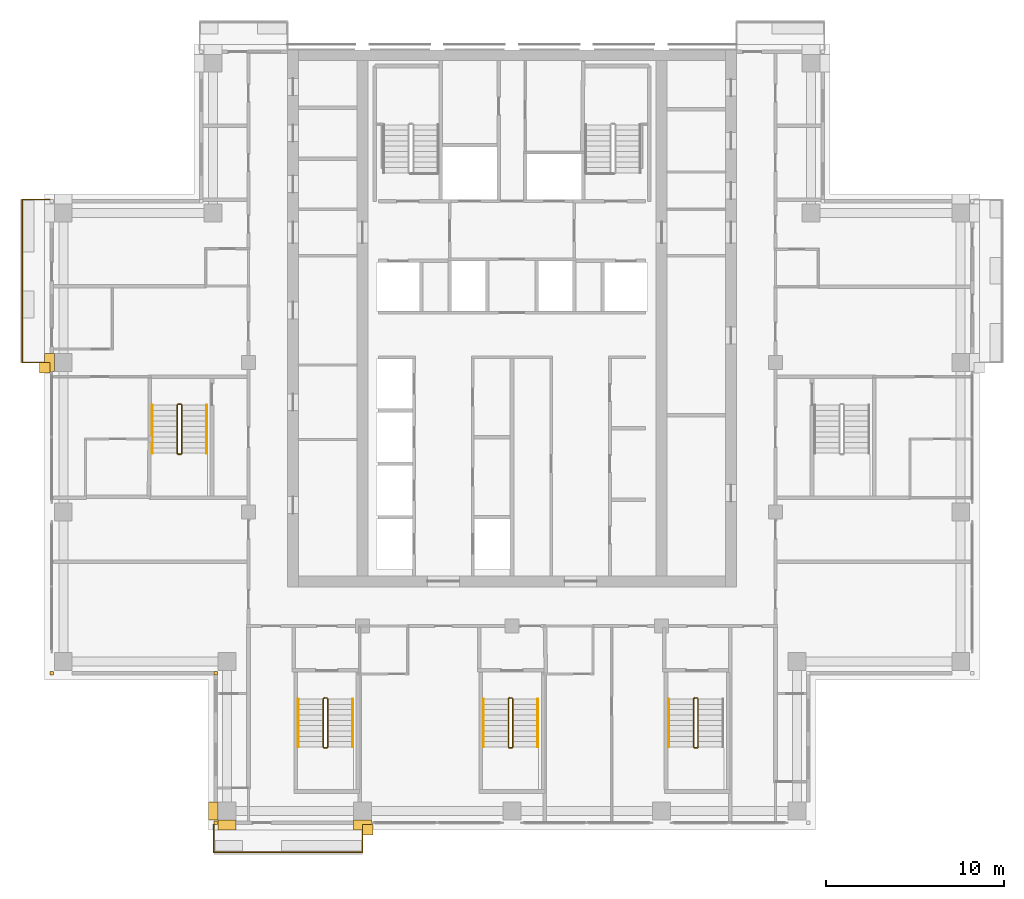
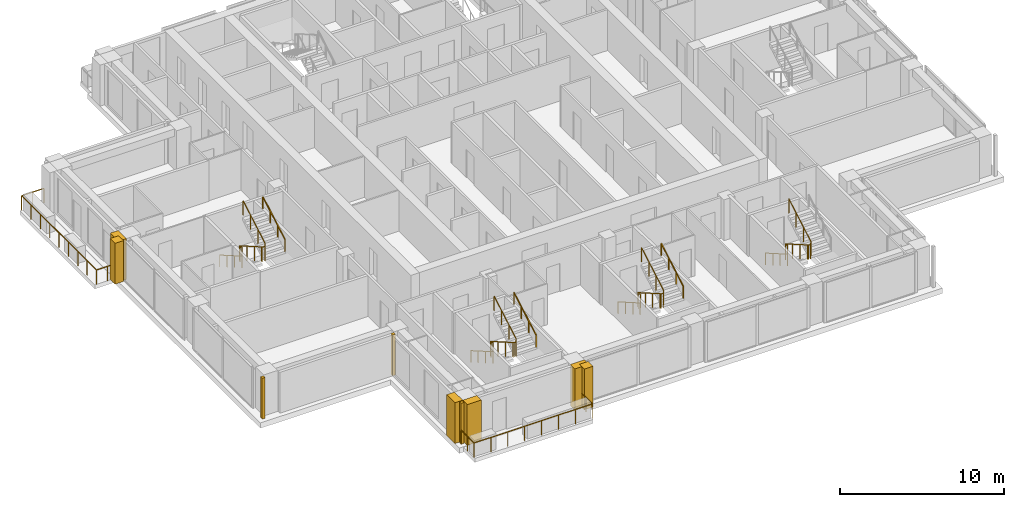
# One storey, part 14 of 16: 13 railings, 9 coverings.
"""IFC4 building model written with IfcOpenShell, lengths in metres."""

from ifc_helpers import new_model, si_unit, direction, frame, origin, origin_2d, place, context, subcontext, project, spatial, polyline, rectangle, outline, extrude, material, type_object, element, save


model = new_model("IFC4")

# Units and contexts
model_context = context("Model", 3, precision=1e-05, world=origin(), true_north=direction((0.0, 1.0)))
body_context = subcontext(model_context, "Body", "Model", "MODEL_VIEW")
ifc_project = project(units=[si_unit("LENGTHUNIT", "METRE"), si_unit("AREAUNIT", "SQUARE_METRE"), si_unit("VOLUMEUNIT", "CUBIC_METRE"), si_unit("PLANEANGLEUNIT", "RADIAN"), si_unit("MASSUNIT", "GRAM", prefix="KILO")], contexts=[model_context])

# Site, building, storey
site_placement = place(None, origin())
site = spatial("IfcSite", under=ifc_project, at=site_placement, CompositionType="ELEMENT")
building_placement = place(site_placement, origin())
building = spatial("IfcBuilding", under=site, at=building_placement, Name="Vermilion Ogive Tower", CompositionType="ELEMENT")
storey_placement = place(building_placement, frame((0.0, 0.0, 182.449951171875)))
storey = spatial("IfcBuildingStorey", under=building, at=storey_placement, Name="L47", CompositionType="ELEMENT", Elevation=182.449951171875)

# Railings
ifc_material_1 = material(Name="Stainless steel and glass", Category="steel")
railing_type_1 = type_object("IfcRailingType", Name="Balcony guard", PredefinedType="GUARDRAIL", material=ifc_material_1)
railing_1_placement = place(storey_placement, frame((-16.75, -21.75, -0.0400390625)))
element("IfcRailing", 1, at=railing_1_placement, inside=storey, type_object=railing_type_1, Name="Guard S01", PredefinedType="GUARDRAIL", context=body_context, shape_type="SweptSolid", body=[
    extrude(rectangle(XDim=0.048095703125, YDim=0.048095703125, at=origin_2d()), frame((0.0, 0.0, 1.076171875), z_axis=(0.0, -1.0, 0.0), x_axis=(1.0, 0.0, 0.0)), (0.0, 0.0, 1.0), 1.56396484375),
    extrude(rectangle(XDim=0.048095703125, YDim=0.048095703125, at=origin_2d()), frame((0.0, -1.56396484375, 1.076171875), z_axis=(1.0, 0.0, 0.0), x_axis=(0.0, 1.0, 0.0)), (0.0, 0.0, 1.0), 8.35009765625),
    extrude(rectangle(XDim=0.048095703125, YDim=0.048095703125, at=origin_2d()), frame((8.35009765625, -1.56396484375, 1.076171875), z_axis=(0.0, 1.0, 0.0), x_axis=(-1.0, 0.0, 0.0)), (0.0, 0.0, 1.0), 1.56396484375),
    extrude(rectangle(XDim=0.0419921875, YDim=0.0419921875, at=origin_2d()), origin(), (0.0, 0.0, 1.0), 1.052001953125),
    extrude(rectangle(XDim=0.0419921875, YDim=0.0419921875, at=origin_2d()), frame((0.0, -0.781982421875, 0.0)), (0.0, 0.0, 1.0), 1.052001953125),
    extrude(rectangle(XDim=0.0419921875, YDim=0.0419921875, at=origin_2d()), frame((0.0, -1.56396484375, 0.0)), (0.0, 0.0, 1.0), 1.052001953125),
    extrude(rectangle(XDim=0.0419921875, YDim=0.0419921875, at=origin_2d()), frame((1.19287109375, -1.56396484375, 0.0)), (0.0, 0.0, 1.0), 1.052001953125),
    extrude(rectangle(XDim=0.0419921875, YDim=0.0419921875, at=origin_2d()), frame((2.3857421875, -1.56396484375, 0.0)), (0.0, 0.0, 1.0), 1.052001953125),
    extrude(rectangle(XDim=0.0419921875, YDim=0.0419921875, at=origin_2d()), frame((3.57861328125, -1.56396484375, 0.0)), (0.0, 0.0, 1.0), 1.052001953125),
    extrude(rectangle(XDim=0.0419921875, YDim=0.0419921875, at=origin_2d()), frame((4.771484375, -1.56396484375, 0.0)), (0.0, 0.0, 1.0), 1.052001953125),
    extrude(rectangle(XDim=0.0419921875, YDim=0.0419921875, at=origin_2d()), frame((5.96435546875, -1.56396484375, 0.0)), (0.0, 0.0, 1.0), 1.052001953125),
    extrude(rectangle(XDim=0.0419921875, YDim=0.0419921875, at=origin_2d()), frame((7.1572265625, -1.56396484375, 0.0)), (0.0, 0.0, 1.0), 1.052001953125),
    extrude(rectangle(XDim=0.0419921875, YDim=0.0419921875, at=origin_2d()), frame((8.35009765625, -1.56396484375, 0.0)), (0.0, 0.0, 1.0), 1.052001953125),
    extrude(rectangle(XDim=0.0419921875, YDim=0.0419921875, at=origin_2d()), frame((8.35009765625, -0.781982421875, 0.0)), (0.0, 0.0, 1.0), 1.052001953125),
    extrude(rectangle(XDim=0.0419921875, YDim=0.0419921875, at=origin_2d()), frame((8.35009765625, 0.0, 0.0)), (0.0, 0.0, 1.0), 1.052001953125),
])
railing_2_placement = place(storey_placement, frame((-25.949951171875, 13.35009765625, -0.0400390625)))
element("IfcRailing", 2, at=railing_2_placement, inside=storey, type_object=railing_type_1, Name="Guard W01", PredefinedType="GUARDRAIL", context=body_context, shape_type="SweptSolid", body=[
    extrude(rectangle(XDim=0.048095703125, YDim=0.048095703125, at=origin_2d()), frame((0.0, 0.0, 1.076171875), z_axis=(-1.0, 0.0, 0.0), x_axis=(0.0, -1.0, 0.0)), (0.0, 0.0, 1.0), 1.56396484375),
    extrude(rectangle(XDim=0.048095703125, YDim=0.048095703125, at=origin_2d()), frame((-1.56396484375, 0.0, 1.076171875), z_axis=(0.0, -1.0, 0.0), x_axis=(1.0, 0.0, 0.0)), (0.0, 0.0, 1.0), 9.150146484375),
    extrude(rectangle(XDim=0.048095703125, YDim=0.048095703125, at=origin_2d()), frame((-1.56396484375, -9.150146484375, 1.076171875), z_axis=(1.0, 0.0, 0.0), x_axis=(0.0, 1.0, 0.0)), (0.0, 0.0, 1.0), 1.56396484375),
    extrude(rectangle(XDim=0.0419921875, YDim=0.0419921875, at=origin_2d()), origin(), (0.0, 0.0, 1.0), 1.052001953125),
    extrude(rectangle(XDim=0.0419921875, YDim=0.0419921875, at=origin_2d()), frame((-0.781982421875, 0.0, 0.0)), (0.0, 0.0, 1.0), 1.052001953125),
    extrude(rectangle(XDim=0.0419921875, YDim=0.0419921875, at=origin_2d()), frame((-1.56396484375, 0.0, 0.0)), (0.0, 0.0, 1.0), 1.052001953125),
    extrude(rectangle(XDim=0.0419921875, YDim=0.0419921875, at=origin_2d()), frame((-1.56396484375, -1.143798828125, 0.0)), (0.0, 0.0, 1.0), 1.052001953125),
    extrude(rectangle(XDim=0.0419921875, YDim=0.0419921875, at=origin_2d()), frame((-1.56396484375, -2.28759765625, 0.0)), (0.0, 0.0, 1.0), 1.052001953125),
    extrude(rectangle(XDim=0.0419921875, YDim=0.0419921875, at=origin_2d()), frame((-1.56396484375, -3.431396484375, 0.0)), (0.0, 0.0, 1.0), 1.052001953125),
    extrude(rectangle(XDim=0.0419921875, YDim=0.0419921875, at=origin_2d()), frame((-1.56396484375, -4.5751953125, 0.0)), (0.0, 0.0, 1.0), 1.052001953125),
    extrude(rectangle(XDim=0.0419921875, YDim=0.0419921875, at=origin_2d()), frame((-1.56396484375, -5.71875, 0.0)), (0.0, 0.0, 1.0), 1.052001953125),
    extrude(rectangle(XDim=0.0419921875, YDim=0.0419921875, at=origin_2d()), frame((-1.56396484375, -6.862548828125, 0.0)), (0.0, 0.0, 1.0), 1.052001953125),
    extrude(rectangle(XDim=0.0419921875, YDim=0.0419921875, at=origin_2d()), frame((-1.56396484375, -8.00634765625, 0.0)), (0.0, 0.0, 1.0), 1.052001953125),
    extrude(rectangle(XDim=0.0419921875, YDim=0.0419921875, at=origin_2d()), frame((-1.56396484375, -9.150146484375, 0.0)), (0.0, 0.0, 1.0), 1.052001953125),
    extrude(rectangle(XDim=0.0419921875, YDim=0.0419921875, at=origin_2d()), frame((-0.781982421875, -9.150146484375, 0.0)), (0.0, 0.0, 1.0), 1.052001953125),
    extrude(rectangle(XDim=0.0419921875, YDim=0.0419921875, at=origin_2d()), frame((0.0, -9.150146484375, 0.0)), (0.0, 0.0, 1.0), 1.052001953125),
])
ifc_material_2 = material(Name="Steel S355 painted", Category="steel")
railing_type_2 = type_object("IfcRailingType", Name="Stair guard 1100", PredefinedType="GUARDRAIL", material=ifc_material_2)
railing_3_placement = place(storey_placement, frame((-10.39990234375, -14.64990234375, 0.0)))
element("IfcRailing", 3, at=railing_3_placement, inside=storey, type_object=railing_type_2, Name="L47 ST3 stair guard 4", PredefinedType="GUARDRAIL", context=body_context, shape_type="SweptSolid", body=[
    extrude(rectangle(XDim=0.048095703125, YDim=0.048095703125, at=origin_2d()), frame((0.0, 0.0, 1.076171875), z_axis=(-1.0, 0.0, 0.0), x_axis=(0.0, -1.0, 0.0)), (0.0, 0.0, 1.0), 0.150146484375),
    extrude(rectangle(XDim=0.048095703125, YDim=0.048095703125, at=origin_2d()), frame((-0.150146484375, 0.0, 1.076171875), z_axis=(-0.268277960024, -0.268277960024, 0.925231793839), x_axis=(0.707106781187, -0.707106781187, 0.0)), (0.0, 0.0, 1.0), 0.1865234375),
    extrude(rectangle(XDim=0.048095703125, YDim=0.048095703125, at=origin_2d()), frame((-0.2001953125, -0.050048828125, 1.24853515625), z_axis=(0.0, -0.866903762492, 0.498475542607), x_axis=(1.0, 0.0, 0.0)), (0.0, 0.0, 1.0), 3.114501953125),
    extrude(rectangle(XDim=0.048095703125, YDim=0.048095703125, at=origin_2d()), frame((-0.2001953125, -2.75, 2.80126953125), z_axis=(0.707106781187, -0.707106781187, 0.0), x_axis=(0.707106781187, 0.707106781187, 0.0)), (0.0, 0.0, 1.0), 0.07080078125),
    extrude(rectangle(XDim=0.048095703125, YDim=0.048095703125, at=origin_2d()), frame((-0.150146484375, -2.800048828125, 2.80126953125), z_axis=(1.0, 0.0, 0.0), x_axis=(0.0, 1.0, 0.0)), (0.0, 0.0, 1.0), 0.150146484375),
    extrude(rectangle(XDim=0.048095703125, YDim=0.048095703125, at=origin_2d()), frame((0.0, -2.800048828125, 2.80126953125), z_axis=(0.267386790225, 0.268697509785, 0.925368009307), x_axis=(-0.708833529934, 0.705375805398, 0.0)), (0.0, 0.0, 1.0), 0.186279296875),
    extrude(rectangle(XDim=0.048095703125, YDim=0.048095703125, at=origin_2d()), frame((0.0498046875, -2.75, 2.9736328125), z_axis=(0.0, 0.866903762492, 0.498475542607), x_axis=(-1.0, 0.0, 0.0)), (0.0, 0.0, 1.0), 3.114501953125),
    extrude(rectangle(XDim=0.0419921875, YDim=0.0419921875, at=origin_2d()), origin(), (0.0, 0.0, 1.0), 1.052001953125),
    extrude(rectangle(XDim=0.0419921875, YDim=0.0419921875, at=origin_2d()), frame((-0.150146484375, 0.0, 0.0)), (0.0, 0.0, 1.0), 1.052001953125),
    extrude(rectangle(XDim=0.0419921875, YDim=0.0419921875, at=origin_2d()), frame((-0.2001953125, -0.050048828125, 0.172607421875)), (0.0, 0.0, 1.0), 1.052001953125),
    extrude(rectangle(XDim=0.0419921875, YDim=0.0419921875, at=origin_2d()), frame((-0.2001953125, -0.949951171875, 0.690185546875)), (0.0, 0.0, 1.0), 1.052001953125),
    extrude(rectangle(XDim=0.0419921875, YDim=0.0419921875, at=origin_2d()), frame((-0.2001953125, -1.85009765625, 1.20751953125)), (0.0, 0.0, 1.0), 1.052001953125),
    extrude(rectangle(XDim=0.0419921875, YDim=0.0419921875, at=origin_2d()), frame((-0.2001953125, -2.75, 1.72509765625)), (0.0, 0.0, 1.0), 1.052001953125),
    extrude(rectangle(XDim=0.0419921875, YDim=0.0419921875, at=origin_2d()), frame((-0.150146484375, -2.800048828125, 1.72509765625)), (0.0, 0.0, 1.0), 1.052001953125),
    extrude(rectangle(XDim=0.0419921875, YDim=0.0419921875, at=origin_2d()), frame((0.0, -2.800048828125, 1.72509765625)), (0.0, 0.0, 1.0), 1.052001953125),
    extrude(rectangle(XDim=0.0419921875, YDim=0.0419921875, at=origin_2d()), frame((0.0498046875, -2.75, 1.8974609375)), (0.0, 0.0, 1.0), 1.052001953125),
    extrude(rectangle(XDim=0.0419921875, YDim=0.0419921875, at=origin_2d()), frame((0.0498046875, -1.85009765625, 2.4150390625)), (0.0, 0.0, 1.0), 1.052001953125),
    extrude(rectangle(XDim=0.0419921875, YDim=0.0419921875, at=origin_2d()), frame((0.0498046875, -0.949951171875, 2.932373046875)), (0.0, 0.0, 1.0), 1.052001953125),
    extrude(rectangle(XDim=0.0419921875, YDim=0.0419921875, at=origin_2d()), frame((0.0498046875, -0.050048828125, 3.449951171875)), (0.0, 0.0, 1.0), 1.052001953125),
])
railing_4_placement = place(storey_placement, frame((0.0, -14.64990234375, 0.0)))
element("IfcRailing", 4, at=railing_4_placement, inside=storey, type_object=railing_type_2, Name="L47 ST4 stair guard 4", PredefinedType="GUARDRAIL", context=body_context, shape_type="SweptSolid", body=[
    extrude(rectangle(XDim=0.048095703125, YDim=0.048095703125, at=origin_2d()), frame((0.0, 0.0, 1.076171875), z_axis=(-1.0, 0.0, 0.0), x_axis=(0.0, -1.0, 0.0)), (0.0, 0.0, 1.0), 0.14990234375),
    extrude(rectangle(XDim=0.048095703125, YDim=0.048095703125, at=origin_2d()), frame((-0.14990234375, 0.0, 1.076171875), z_axis=(-0.268277960024, -0.268277960024, 0.925231793839), x_axis=(0.707106781187, -0.707106781187, 0.0)), (0.0, 0.0, 1.0), 0.1865234375),
    extrude(rectangle(XDim=0.048095703125, YDim=0.048095703125, at=origin_2d()), frame((-0.199951171875, -0.050048828125, 1.24853515625), z_axis=(0.0, -0.866903762492, 0.498475542607), x_axis=(1.0, 0.0, 0.0)), (0.0, 0.0, 1.0), 3.114501953125),
    extrude(rectangle(XDim=0.048095703125, YDim=0.048095703125, at=origin_2d()), frame((-0.199951171875, -2.75, 2.80126953125), z_axis=(0.707106781187, -0.707106781187, 0.0), x_axis=(0.707106781187, 0.707106781187, 0.0)), (0.0, 0.0, 1.0), 0.07080078125),
    extrude(rectangle(XDim=0.048095703125, YDim=0.048095703125, at=origin_2d()), frame((-0.14990234375, -2.800048828125, 2.80126953125), z_axis=(1.0, 0.0, 0.0), x_axis=(0.0, 1.0, 0.0)), (0.0, 0.0, 1.0), 0.14990234375),
    extrude(rectangle(XDim=0.048095703125, YDim=0.048095703125, at=origin_2d()), frame((0.0, -2.800048828125, 2.80126953125), z_axis=(0.268603158521, 0.268603158521, 0.925043072762), x_axis=(-0.707106781187, 0.707106781187, 0.0)), (0.0, 0.0, 1.0), 0.186279296875),
    extrude(rectangle(XDim=0.048095703125, YDim=0.048095703125, at=origin_2d()), frame((0.050048828125, -2.75, 2.9736328125), z_axis=(0.0, 0.866903762492, 0.498475542607), x_axis=(-1.0, 0.0, 0.0)), (0.0, 0.0, 1.0), 3.114501953125),
    extrude(rectangle(XDim=0.0419921875, YDim=0.0419921875, at=origin_2d()), origin(), (0.0, 0.0, 1.0), 1.052001953125),
    extrude(rectangle(XDim=0.0419921875, YDim=0.0419921875, at=origin_2d()), frame((-0.14990234375, 0.0, 0.0)), (0.0, 0.0, 1.0), 1.052001953125),
    extrude(rectangle(XDim=0.0419921875, YDim=0.0419921875, at=origin_2d()), frame((-0.199951171875, -0.050048828125, 0.172607421875)), (0.0, 0.0, 1.0), 1.052001953125),
    extrude(rectangle(XDim=0.0419921875, YDim=0.0419921875, at=origin_2d()), frame((-0.199951171875, -0.949951171875, 0.690185546875)), (0.0, 0.0, 1.0), 1.052001953125),
    extrude(rectangle(XDim=0.0419921875, YDim=0.0419921875, at=origin_2d()), frame((-0.199951171875, -1.85009765625, 1.20751953125)), (0.0, 0.0, 1.0), 1.052001953125),
    extrude(rectangle(XDim=0.0419921875, YDim=0.0419921875, at=origin_2d()), frame((-0.199951171875, -2.75, 1.72509765625)), (0.0, 0.0, 1.0), 1.052001953125),
    extrude(rectangle(XDim=0.0419921875, YDim=0.0419921875, at=origin_2d()), frame((-0.14990234375, -2.800048828125, 1.72509765625)), (0.0, 0.0, 1.0), 1.052001953125),
    extrude(rectangle(XDim=0.0419921875, YDim=0.0419921875, at=origin_2d()), frame((0.0, -2.800048828125, 1.72509765625)), (0.0, 0.0, 1.0), 1.052001953125),
    extrude(rectangle(XDim=0.0419921875, YDim=0.0419921875, at=origin_2d()), frame((0.050048828125, -2.75, 1.8974609375)), (0.0, 0.0, 1.0), 1.052001953125),
    extrude(rectangle(XDim=0.0419921875, YDim=0.0419921875, at=origin_2d()), frame((0.050048828125, -1.85009765625, 2.4150390625)), (0.0, 0.0, 1.0), 1.052001953125),
    extrude(rectangle(XDim=0.0419921875, YDim=0.0419921875, at=origin_2d()), frame((0.050048828125, -0.949951171875, 2.932373046875)), (0.0, 0.0, 1.0), 1.052001953125),
    extrude(rectangle(XDim=0.0419921875, YDim=0.0419921875, at=origin_2d()), frame((0.050048828125, -0.050048828125, 3.449951171875)), (0.0, 0.0, 1.0), 1.052001953125),
])
railing_5_placement = place(storey_placement, frame((10.39990234375, -14.64990234375, 0.0)))
element("IfcRailing", 5, at=railing_5_placement, inside=storey, type_object=railing_type_2, Name="L47 ST5 stair guard 4", PredefinedType="GUARDRAIL", context=body_context, shape_type="SweptSolid", body=[
    extrude(rectangle(XDim=0.048095703125, YDim=0.048095703125, at=origin_2d()), frame((0.0, 0.0, 1.076171875), z_axis=(-1.0, 0.0, 0.0), x_axis=(0.0, -1.0, 0.0)), (0.0, 0.0, 1.0), 0.14990234375),
    extrude(rectangle(XDim=0.048095703125, YDim=0.048095703125, at=origin_2d()), frame((-0.14990234375, 0.0, 1.076171875), z_axis=(-0.268277960024, -0.268277960024, 0.925231793839), x_axis=(0.707106781187, -0.707106781187, 0.0)), (0.0, 0.0, 1.0), 0.1865234375),
    extrude(rectangle(XDim=0.048095703125, YDim=0.048095703125, at=origin_2d()), frame((-0.199951171875, -0.050048828125, 1.24853515625), z_axis=(0.0, -0.866903762492, 0.498475542607), x_axis=(1.0, 0.0, 0.0)), (0.0, 0.0, 1.0), 3.114501953125),
    extrude(rectangle(XDim=0.048095703125, YDim=0.048095703125, at=origin_2d()), frame((-0.199951171875, -2.75, 2.80126953125), z_axis=(0.707106781187, -0.707106781187, 0.0), x_axis=(0.707106781187, 0.707106781187, 0.0)), (0.0, 0.0, 1.0), 0.07080078125),
    extrude(rectangle(XDim=0.048095703125, YDim=0.048095703125, at=origin_2d()), frame((-0.14990234375, -2.800048828125, 2.80126953125), z_axis=(1.0, 0.0, 0.0), x_axis=(0.0, 1.0, 0.0)), (0.0, 0.0, 1.0), 0.14990234375),
    extrude(rectangle(XDim=0.048095703125, YDim=0.048095703125, at=origin_2d()), frame((0.0, -2.800048828125, 2.80126953125), z_axis=(0.268603158521, 0.268603158521, 0.925043072762), x_axis=(-0.707106781187, 0.707106781187, 0.0)), (0.0, 0.0, 1.0), 0.186279296875),
    extrude(rectangle(XDim=0.048095703125, YDim=0.048095703125, at=origin_2d()), frame((0.050048828125, -2.75, 2.9736328125), z_axis=(0.0, 0.866903762492, 0.498475542607), x_axis=(-1.0, 0.0, 0.0)), (0.0, 0.0, 1.0), 3.114501953125),
    extrude(rectangle(XDim=0.0419921875, YDim=0.0419921875, at=origin_2d()), origin(), (0.0, 0.0, 1.0), 1.052001953125),
    extrude(rectangle(XDim=0.0419921875, YDim=0.0419921875, at=origin_2d()), frame((-0.14990234375, 0.0, 0.0)), (0.0, 0.0, 1.0), 1.052001953125),
    extrude(rectangle(XDim=0.0419921875, YDim=0.0419921875, at=origin_2d()), frame((-0.199951171875, -0.050048828125, 0.172607421875)), (0.0, 0.0, 1.0), 1.052001953125),
    extrude(rectangle(XDim=0.0419921875, YDim=0.0419921875, at=origin_2d()), frame((-0.199951171875, -0.949951171875, 0.690185546875)), (0.0, 0.0, 1.0), 1.052001953125),
    extrude(rectangle(XDim=0.0419921875, YDim=0.0419921875, at=origin_2d()), frame((-0.199951171875, -1.85009765625, 1.20751953125)), (0.0, 0.0, 1.0), 1.052001953125),
    extrude(rectangle(XDim=0.0419921875, YDim=0.0419921875, at=origin_2d()), frame((-0.199951171875, -2.75, 1.72509765625)), (0.0, 0.0, 1.0), 1.052001953125),
    extrude(rectangle(XDim=0.0419921875, YDim=0.0419921875, at=origin_2d()), frame((-0.14990234375, -2.800048828125, 1.72509765625)), (0.0, 0.0, 1.0), 1.052001953125),
    extrude(rectangle(XDim=0.0419921875, YDim=0.0419921875, at=origin_2d()), frame((0.0, -2.800048828125, 1.72509765625)), (0.0, 0.0, 1.0), 1.052001953125),
    extrude(rectangle(XDim=0.0419921875, YDim=0.0419921875, at=origin_2d()), frame((0.050048828125, -2.75, 1.8974609375)), (0.0, 0.0, 1.0), 1.052001953125),
    extrude(rectangle(XDim=0.0419921875, YDim=0.0419921875, at=origin_2d()), frame((0.050048828125, -1.85009765625, 2.4150390625)), (0.0, 0.0, 1.0), 1.052001953125),
    extrude(rectangle(XDim=0.0419921875, YDim=0.0419921875, at=origin_2d()), frame((0.050048828125, -0.949951171875, 2.932373046875)), (0.0, 0.0, 1.0), 1.052001953125),
    extrude(rectangle(XDim=0.0419921875, YDim=0.0419921875, at=origin_2d()), frame((0.050048828125, -0.050048828125, 3.449951171875)), (0.0, 0.0, 1.0), 1.052001953125),
])
railing_6_placement = place(storey_placement, frame((-18.60009765625, 1.85009765625, 0.0)))
element("IfcRailing", 6, at=railing_6_placement, inside=storey, type_object=railing_type_2, Name="L47 ST9 stair guard 4", PredefinedType="GUARDRAIL", context=body_context, shape_type="SweptSolid", body=[
    extrude(rectangle(XDim=0.048095703125, YDim=0.048095703125, at=origin_2d()), frame((0.0, 0.0, 1.076171875), z_axis=(-1.0, 0.0, 0.0), x_axis=(0.0, -1.0, 0.0)), (0.0, 0.0, 1.0), 0.14990234375),
    extrude(rectangle(XDim=0.048095703125, YDim=0.048095703125, at=origin_2d()), frame((-0.14990234375, 0.0, 1.076171875), z_axis=(-0.268277960024, -0.268277960024, 0.925231793839), x_axis=(0.707106781187, -0.707106781187, 0.0)), (0.0, 0.0, 1.0), 0.1865234375),
    extrude(rectangle(XDim=0.048095703125, YDim=0.048095703125, at=origin_2d()), frame((-0.199951171875, -0.050048828125, 1.24853515625), z_axis=(0.0, -0.866903762492, 0.498475542607), x_axis=(1.0, 0.0, 0.0)), (0.0, 0.0, 1.0), 3.114501953125),
    extrude(rectangle(XDim=0.048095703125, YDim=0.048095703125, at=origin_2d()), frame((-0.199951171875, -2.75, 2.80126953125), z_axis=(0.707106781187, -0.707106781187, 0.0), x_axis=(0.707106781187, 0.707106781187, 0.0)), (0.0, 0.0, 1.0), 0.07080078125),
    extrude(rectangle(XDim=0.048095703125, YDim=0.048095703125, at=origin_2d()), frame((-0.14990234375, -2.800048828125, 2.80126953125), z_axis=(1.0, 0.0, 0.0), x_axis=(0.0, 1.0, 0.0)), (0.0, 0.0, 1.0), 0.14990234375),
    extrude(rectangle(XDim=0.048095703125, YDim=0.048095703125, at=origin_2d()), frame((0.0, -2.800048828125, 2.80126953125), z_axis=(0.268603158521, 0.268603158521, 0.925043072762), x_axis=(-0.707106781187, 0.707106781187, 0.0)), (0.0, 0.0, 1.0), 0.186279296875),
    extrude(rectangle(XDim=0.048095703125, YDim=0.048095703125, at=origin_2d()), frame((0.050048828125, -2.75, 2.9736328125), z_axis=(0.0, 0.866903762492, 0.498475542607), x_axis=(-1.0, 0.0, 0.0)), (0.0, 0.0, 1.0), 3.114501953125),
    extrude(rectangle(XDim=0.0419921875, YDim=0.0419921875, at=origin_2d()), origin(), (0.0, 0.0, 1.0), 1.052001953125),
    extrude(rectangle(XDim=0.0419921875, YDim=0.0419921875, at=origin_2d()), frame((-0.14990234375, 0.0, 0.0)), (0.0, 0.0, 1.0), 1.052001953125),
    extrude(rectangle(XDim=0.0419921875, YDim=0.0419921875, at=origin_2d()), frame((-0.199951171875, -0.050048828125, 0.172607421875)), (0.0, 0.0, 1.0), 1.052001953125),
    extrude(rectangle(XDim=0.0419921875, YDim=0.0419921875, at=origin_2d()), frame((-0.199951171875, -0.949951171875, 0.690185546875)), (0.0, 0.0, 1.0), 1.052001953125),
    extrude(rectangle(XDim=0.0419921875, YDim=0.0419921875, at=origin_2d()), frame((-0.199951171875, -1.85009765625, 1.20751953125)), (0.0, 0.0, 1.0), 1.052001953125),
    extrude(rectangle(XDim=0.0419921875, YDim=0.0419921875, at=origin_2d()), frame((-0.199951171875, -2.75, 1.72509765625)), (0.0, 0.0, 1.0), 1.052001953125),
    extrude(rectangle(XDim=0.0419921875, YDim=0.0419921875, at=origin_2d()), frame((-0.14990234375, -2.800048828125, 1.72509765625)), (0.0, 0.0, 1.0), 1.052001953125),
    extrude(rectangle(XDim=0.0419921875, YDim=0.0419921875, at=origin_2d()), frame((0.0, -2.800048828125, 1.72509765625)), (0.0, 0.0, 1.0), 1.052001953125),
    extrude(rectangle(XDim=0.0419921875, YDim=0.0419921875, at=origin_2d()), frame((0.050048828125, -2.75, 1.8974609375)), (0.0, 0.0, 1.0), 1.052001953125),
    extrude(rectangle(XDim=0.0419921875, YDim=0.0419921875, at=origin_2d()), frame((0.050048828125, -1.85009765625, 2.4150390625)), (0.0, 0.0, 1.0), 1.052001953125),
    extrude(rectangle(XDim=0.0419921875, YDim=0.0419921875, at=origin_2d()), frame((0.050048828125, -0.949951171875, 2.932373046875)), (0.0, 0.0, 1.0), 1.052001953125),
    extrude(rectangle(XDim=0.0419921875, YDim=0.0419921875, at=origin_2d()), frame((0.050048828125, -0.050048828125, 3.449951171875)), (0.0, 0.0, 1.0), 1.052001953125),
])
ifc_material_3 = material(Name="Stainless steel", Category="steel")
railing_type_3 = type_object("IfcRailingType", Name="Stair handrail 900", PredefinedType="HANDRAIL", material=ifc_material_3)
railing_7_placement = place(storey_placement, frame((-12.0, -14.699951171875, 0.172607421875)))
element("IfcRailing", 7, at=railing_7_placement, inside=storey, type_object=railing_type_3, Name="L47 ST3 stair handrail 1", PredefinedType="HANDRAIL", context=body_context, shape_type="SweptSolid", body=[
    extrude(rectangle(XDim=0.048095703125, YDim=0.048095703125, at=origin_2d()), frame((0.0, 0.0, 0.8759765625), z_axis=(0.0, -0.866903762492, 0.498475542607), x_axis=(1.0, 0.0, 0.0)), (0.0, 0.0, 1.0), 3.114501953125),
    extrude(rectangle(XDim=0.0419921875, YDim=0.0419921875, at=origin_2d()), origin(), (0.0, 0.0, 1.0), 0.851806640625),
    extrude(rectangle(XDim=0.0419921875, YDim=0.0419921875, at=origin_2d()), frame((0.0, -0.89990234375, 0.517578125)), (0.0, 0.0, 1.0), 0.851806640625),
    extrude(rectangle(XDim=0.0419921875, YDim=0.0419921875, at=origin_2d()), frame((0.0, -1.800048828125, 1.034912109375)), (0.0, 0.0, 1.0), 0.851806640625),
    extrude(rectangle(XDim=0.0419921875, YDim=0.0419921875, at=origin_2d()), frame((0.0, -2.699951171875, 1.552490234375)), (0.0, 0.0, 1.0), 0.851806640625),
])
railing_8_placement = place(storey_placement, frame((-8.949951171875, -17.39990234375, 1.8974609375)))
element("IfcRailing", 8, at=railing_8_placement, inside=storey, type_object=railing_type_3, Name="L47 ST3 stair handrail 2", PredefinedType="HANDRAIL", context=body_context, shape_type="SweptSolid", body=[
    extrude(rectangle(XDim=0.048095703125, YDim=0.048095703125, at=origin_2d()), frame((0.0, 0.0, 0.8759765625), z_axis=(0.0, 0.866903762492, 0.498475542607), x_axis=(-1.0, 0.0, 0.0)), (0.0, 0.0, 1.0), 3.114501953125),
    extrude(rectangle(XDim=0.0419921875, YDim=0.0419921875, at=origin_2d()), origin(), (0.0, 0.0, 1.0), 0.851806640625),
    extrude(rectangle(XDim=0.0419921875, YDim=0.0419921875, at=origin_2d()), frame((0.0, 0.89990234375, 0.517578125)), (0.0, 0.0, 1.0), 0.851806640625),
    extrude(rectangle(XDim=0.0419921875, YDim=0.0419921875, at=origin_2d()), frame((0.0, 1.800048828125, 1.034912109375)), (0.0, 0.0, 1.0), 0.851806640625),
    extrude(rectangle(XDim=0.0419921875, YDim=0.0419921875, at=origin_2d()), frame((0.0, 2.699951171875, 1.552490234375)), (0.0, 0.0, 1.0), 0.851806640625),
])
railing_9_placement = place(storey_placement, frame((-1.60009765625, -14.699951171875, 0.172607421875)))
element("IfcRailing", 9, at=railing_9_placement, inside=storey, type_object=railing_type_3, Name="L47 ST4 stair handrail 1", PredefinedType="HANDRAIL", context=body_context, shape_type="SweptSolid", body=[
    extrude(rectangle(XDim=0.048095703125, YDim=0.048095703125, at=origin_2d()), frame((0.0, 0.0, 0.8759765625), z_axis=(0.0, -0.866903762492, 0.498475542607), x_axis=(1.0, 0.0, 0.0)), (0.0, 0.0, 1.0), 3.114501953125),
    extrude(rectangle(XDim=0.0419921875, YDim=0.0419921875, at=origin_2d()), origin(), (0.0, 0.0, 1.0), 0.851806640625),
    extrude(rectangle(XDim=0.0419921875, YDim=0.0419921875, at=origin_2d()), frame((0.0, -0.89990234375, 0.517578125)), (0.0, 0.0, 1.0), 0.851806640625),
    extrude(rectangle(XDim=0.0419921875, YDim=0.0419921875, at=origin_2d()), frame((0.0, -1.800048828125, 1.034912109375)), (0.0, 0.0, 1.0), 0.851806640625),
    extrude(rectangle(XDim=0.0419921875, YDim=0.0419921875, at=origin_2d()), frame((0.0, -2.699951171875, 1.552490234375)), (0.0, 0.0, 1.0), 0.851806640625),
])
railing_10_placement = place(storey_placement, frame((1.449951171875, -17.39990234375, 1.8974609375)))
element("IfcRailing", 10, at=railing_10_placement, inside=storey, type_object=railing_type_3, Name="L47 ST4 stair handrail 2", PredefinedType="HANDRAIL", context=body_context, shape_type="SweptSolid", body=[
    extrude(rectangle(XDim=0.048095703125, YDim=0.048095703125, at=origin_2d()), frame((0.0, 0.0, 0.8759765625), z_axis=(0.0, 0.866903762492, 0.498475542607), x_axis=(-1.0, 0.0, 0.0)), (0.0, 0.0, 1.0), 3.114501953125),
    extrude(rectangle(XDim=0.0419921875, YDim=0.0419921875, at=origin_2d()), origin(), (0.0, 0.0, 1.0), 0.851806640625),
    extrude(rectangle(XDim=0.0419921875, YDim=0.0419921875, at=origin_2d()), frame((0.0, 0.89990234375, 0.517578125)), (0.0, 0.0, 1.0), 0.851806640625),
    extrude(rectangle(XDim=0.0419921875, YDim=0.0419921875, at=origin_2d()), frame((0.0, 1.800048828125, 1.034912109375)), (0.0, 0.0, 1.0), 0.851806640625),
    extrude(rectangle(XDim=0.0419921875, YDim=0.0419921875, at=origin_2d()), frame((0.0, 2.699951171875, 1.552490234375)), (0.0, 0.0, 1.0), 0.851806640625),
])
for number, where, name in (
    (11, (8.800048828125, -14.699951171875, 0.172607421875), "L47 ST5 stair handrail 1"),
    (12, (-20.199951171875, 1.800048828125, 0.172607421875), "L47 ST9 stair handrail 1"),
):
    element("IfcRailing", number, at=place(storey_placement, frame(where)), inside=storey, type_object=railing_type_3, Name=name, PredefinedType="HANDRAIL", context=body_context, shape_type="SweptSolid", body=[
        extrude(rectangle(XDim=0.048095703125, YDim=0.048095703125, at=origin_2d()), frame((0.0, 0.0, 0.8759765625), z_axis=(0.0, -0.866903762492, 0.498475542607), x_axis=(1.0, 0.0, 0.0)), (0.0, 0.0, 1.0), 3.114501953125),
        extrude(rectangle(XDim=0.0419921875, YDim=0.0419921875, at=origin_2d()), origin(), (0.0, 0.0, 1.0), 0.851806640625),
        extrude(rectangle(XDim=0.0419921875, YDim=0.0419921875, at=origin_2d()), frame((0.0, -0.89990234375, 0.517578125)), (0.0, 0.0, 1.0), 0.851806640625),
        extrude(rectangle(XDim=0.0419921875, YDim=0.0419921875, at=origin_2d()), frame((0.0, -1.800048828125, 1.034912109375)), (0.0, 0.0, 1.0), 0.851806640625),
        extrude(rectangle(XDim=0.0419921875, YDim=0.0419921875, at=origin_2d()), frame((0.0, -2.699951171875, 1.552490234375)), (0.0, 0.0, 1.0), 0.851806640625),
    ])
railing_11_placement = place(storey_placement, frame((-17.14990234375, -0.89990234375, 1.8974609375)))
element("IfcRailing", 13, at=railing_11_placement, inside=storey, type_object=railing_type_3, Name="L47 ST9 stair handrail 2", PredefinedType="HANDRAIL", context=body_context, shape_type="SweptSolid", body=[
    extrude(rectangle(XDim=0.048095703125, YDim=0.048095703125, at=origin_2d()), frame((0.0, 0.0, 0.8759765625), z_axis=(0.0, 0.866903762492, 0.498475542607), x_axis=(-1.0, 0.0, 0.0)), (0.0, 0.0, 1.0), 3.114501953125),
    extrude(rectangle(XDim=0.0419921875, YDim=0.0419921875, at=origin_2d()), origin(), (0.0, 0.0, 1.0), 0.851806640625),
    extrude(rectangle(XDim=0.0419921875, YDim=0.0419921875, at=origin_2d()), frame((0.0, 0.89990234375, 0.517578125)), (0.0, 0.0, 1.0), 0.851806640625),
    extrude(rectangle(XDim=0.0419921875, YDim=0.0419921875, at=origin_2d()), frame((0.0, 1.800048828125, 1.034912109375)), (0.0, 0.0, 1.0), 0.851806640625),
    extrude(rectangle(XDim=0.0419921875, YDim=0.0419921875, at=origin_2d()), frame((0.0, 2.699951171875, 1.552490234375)), (0.0, 0.0, 1.0), 0.851806640625),
])

# Coverings
ifc_material_4 = material(Name="Stone cladding", Category="masonry")
covering_type_1 = type_object("IfcCoveringType", Name="Stone corner buttress", PredefinedType="CLADDING", material=ifc_material_4)
covering_1_placement = place(storey_placement, origin())
element("IfcCovering", 14, at=covering_1_placement, inside=storey, type_object=covering_type_1, Name="Stone crease pier SK", PredefinedType="CLADDING", context=body_context, shape_type="SweptSolid", body=[
    extrude(outline(polyline([(-8.39990234375, -22.35009765625), (-7.800048828125, -22.35009765625), (-7.800048828125, -21.75), (-8.39990234375, -21.75), (-8.39990234375, -22.35009765625)])), origin(), (0.0, 0.0, 1.0), 3.050048828125),
])
covering_2_placement = place(storey_placement, origin())
element("IfcCovering", 15, at=covering_2_placement, inside=storey, type_object=covering_type_1, Name="Stone crease pier WK", PredefinedType="CLADDING", context=body_context, shape_type="SweptSolid", body=[
    extrude(outline(polyline([(-26.550048828125, 4.199951171875), (-26.550048828125, 3.60009765625), (-25.949951171875, 3.60009765625), (-25.949951171875, 4.199951171875), (-26.550048828125, 4.199951171875)])), origin(), (0.0, 0.0, 1.0), 3.050048828125),
])
ifc_material_5 = material(Name="Stone cladding", Category="masonry")
covering_type_2 = type_object("IfcCoveringType", Name="Stone pier", PredefinedType="CLADDING", material=ifc_material_5)
covering_3_placement = place(storey_placement, origin())
element("IfcCovering", 16, at=covering_3_placement, inside=storey, type_object=covering_type_2, Name="Stone corner pier WE1", PredefinedType="CLADDING", context=body_context, shape_type="SweptSolid", body=[
    extrude(outline(polyline([(-25.75, -13.14990234375), (-25.75, -13.35009765625), (-25.949951171875, -13.35009765625), (-25.949951171875, -13.14990234375), (-25.75, -13.14990234375)])), origin(), (0.0, 0.0, 1.0), 3.050048828125),
])
covering_4_placement = place(storey_placement, origin())
element("IfcCovering", 17, at=covering_4_placement, inside=storey, type_object=covering_type_2, Name="Stone corner pier X7E1", PredefinedType="CLADDING", context=body_context, shape_type="SweptSolid", body=[
    extrude(outline(polyline([(-16.550048828125, -13.14990234375), (-16.550048828125, -13.35009765625), (-16.75, -13.35009765625), (-16.75, -13.14990234375), (-16.550048828125, -13.14990234375)])), origin(), (0.0, 0.0, 1.0), 3.050048828125),
])
covering_5_placement = place(storey_placement, origin())
element("IfcCovering", 18, at=covering_5_placement, inside=storey, type_object=covering_type_2, Name="Stone corner pier X8E1", PredefinedType="CLADDING", context=body_context, shape_type="SweptSolid", body=[
    extrude(outline(polyline([(-16.550048828125, -21.550048828125), (-16.550048828125, -21.75), (-16.75, -21.75), (-16.75, -21.550048828125), (-16.550048828125, -21.550048828125)])), origin(), (0.0, 0.0, 1.0), 3.050048828125),
])
covering_6_placement = place(storey_placement, origin())
element("IfcCovering", 19, at=covering_6_placement, inside=storey, type_object=covering_type_2, Name="Stone pier P-0084-210", PredefinedType="CLADDING", context=body_context, shape_type="SweptSolid", body=[
    extrude(outline(polyline([(-7.89990234375, -21.75), (-8.39990234375, -21.75), (-8.39990234375, -22.050048828125), (-8.89990234375, -22.050048828125), (-8.89990234375, -21.5), (-7.89990234375, -21.5), (-7.89990234375, -21.75)])), origin(), (0.0, 0.0, 1.0), 3.050048828125),
])
covering_7_placement = place(storey_placement, origin())
element("IfcCovering", 20, at=covering_7_placement, inside=storey, type_object=covering_type_2, Name="Stone pier P-0160-210S", PredefinedType="CLADDING", context=body_context, shape_type="SweptSolid", body=[
    extrude(outline(polyline([(-15.5, -22.050048828125), (-16.5, -22.050048828125), (-16.5, -21.5), (-15.5, -21.5), (-15.5, -22.050048828125)])), origin(), (0.0, 0.0, 1.0), 3.050048828125),
])
covering_8_placement = place(storey_placement, origin())
element("IfcCovering", 21, at=covering_8_placement, inside=storey, type_object=covering_type_2, Name="Stone pier P-0160-210X8", PredefinedType="CLADDING", context=body_context, shape_type="SweptSolid", body=[
    extrude(outline(polyline([(-17.050048828125, -20.5), (-16.5, -20.5), (-16.5, -21.5), (-17.050048828125, -21.5), (-17.050048828125, -20.5)])), origin(), (0.0, 0.0, 1.0), 3.050048828125),
])
covering_9_placement = place(storey_placement, origin())
element("IfcCovering", 22, at=covering_9_placement, inside=storey, type_object=covering_type_2, Name="Stone pier P-0252+042", PredefinedType="CLADDING", context=body_context, shape_type="SweptSolid", body=[
    extrude(outline(polyline([(-25.699951171875, 3.699951171875), (-25.949951171875, 3.699951171875), (-25.949951171875, 4.199951171875), (-26.25, 4.199951171875), (-26.25, 4.699951171875), (-25.699951171875, 4.699951171875), (-25.699951171875, 4.699951171875), (-25.699951171875, 3.699951171875)])), origin(), (0.0, 0.0, 1.0), 3.050048828125),
])

save(model, "model.ifc")
